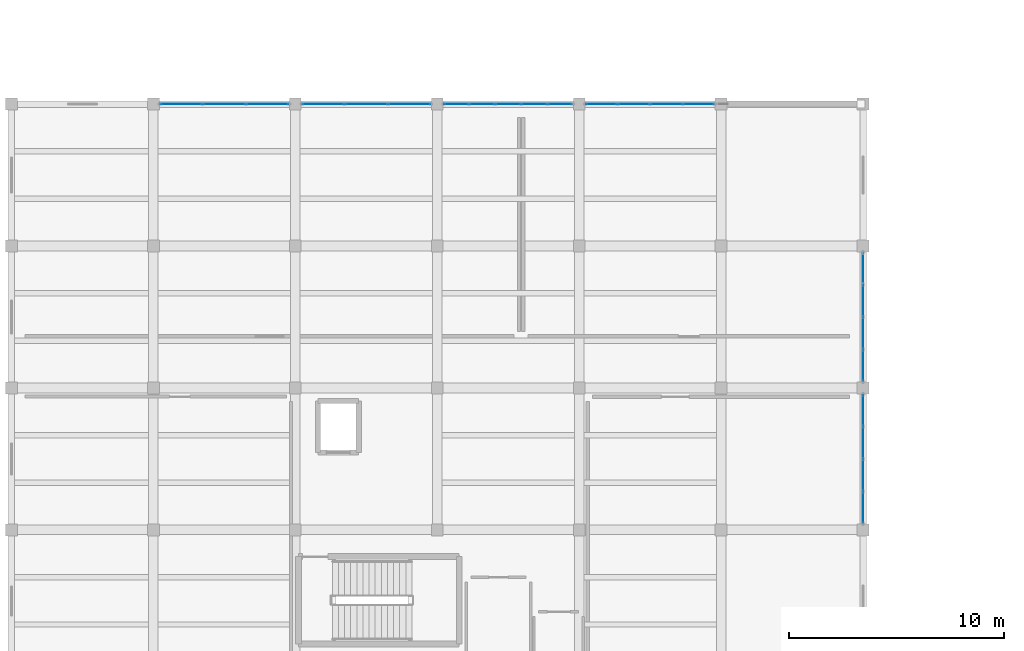
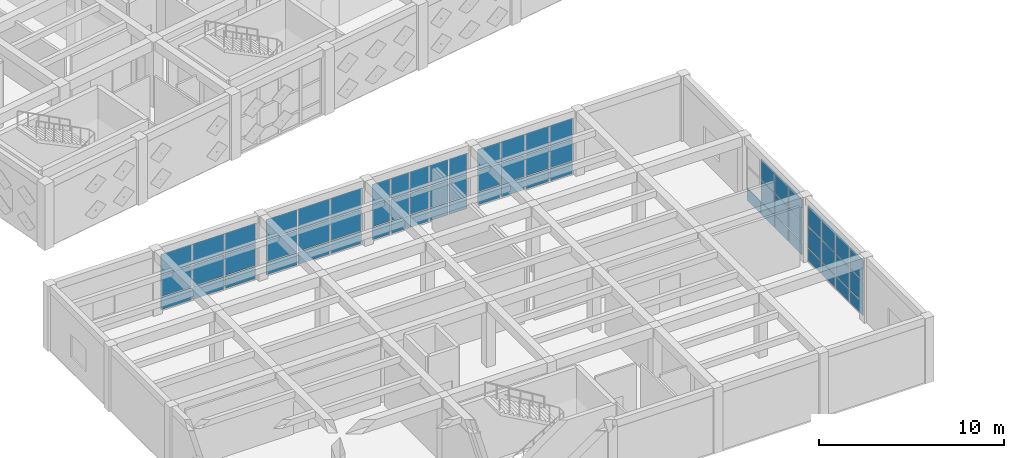
# One storey, part 27 of 48: 67 plates, 6 elements without a shape of their own.
"""IFC4 building model written with IfcOpenShell, lengths in metres."""

from ifc_helpers import new_model, si_unit, direction, frame, origin, origin_2d, place, context, subcontext, project, spatial, rectangle, extrude, material, layer, layer_set, type_object, element, aggregate, save


model = new_model("IFC4")

# Units and contexts
model_context = context("Model", 3, precision=1e-05, world=origin(), true_north=direction((0.0, 1.0)))
body_context = subcontext(model_context, "Body", "Model", "MODEL_VIEW")
ifc_project = project(units=[si_unit("LENGTHUNIT", "METRE"), si_unit("AREAUNIT", "SQUARE_METRE"), si_unit("VOLUMEUNIT", "CUBIC_METRE"), si_unit("PLANEANGLEUNIT", "RADIAN"), si_unit("MASSUNIT", "GRAM", prefix="KILO")], contexts=[model_context])

# Site, building, storey
site_placement = place(None, origin())
site = spatial("IfcSite", under=ifc_project, at=site_placement, CompositionType="ELEMENT")
building_placement = place(site_placement, origin())
building = spatial("IfcBuilding", under=site, at=building_placement, Name="Kharisveld Research Institute", CompositionType="ELEMENT")
storey_placement = place(building_placement, frame((0.0, 0.0, 14.10009765625)))
storey = spatial("IfcBuildingStorey", under=building, at=storey_placement, Name="L03", CompositionType="ELEMENT", Elevation=14.10009765625)

# Curtain wall, plates
ifc_material_1 = material(Name="Thermally Broken Aluminium Curtain Wall", Category="aluminium")
ifc_layer_1 = layer(ifc_material_1, 0.159912109375)
ifc_layer_set_1 = layer_set([ifc_layer_1], Name="CW_SYS_05")
curtain_wall_type_1 = type_object("IfcCurtainWallType", Name="CW_SYS_05", PredefinedType="NOTDEFINED", material=ifc_layer_set_1)
curtain_wall_1_placement = place(storey_placement, origin())
curtain_wall_1 = element("IfcCurtainWall", 1, at=curtain_wall_1_placement, inside=storey, type_object=curtain_wall_type_1, Name="CW:V3:L03:N1", PredefinedType="NOTDEFINED")
ifc_material_2 = material(Name="Low-E Double Glazing", Category="glass")
ifc_layer_2 = layer(ifc_material_2, 0.028076171875)
ifc_layer_set_2 = layer_set([ifc_layer_2], Name="CW_PNL_GLZ")
plate_type_1 = type_object("IfcPlateType", Name="CW_PNL_GLZ", PredefinedType="CURTAIN_PANEL", material=ifc_layer_set_2)
plate_1_placement = place(storey_placement, frame((8.496337890625, 26.60009765625, 0.059814453125), z_axis=(0.0, 0.0, 1.0), x_axis=(1.0, 0.0, 0.0)))
plate_1 = element("IfcPlate", 2, at=plate_1_placement, type_object=plate_type_1, Name="CW-05 panel 1.1", PredefinedType="CURTAIN_PANEL", context=body_context, shape_type="SweptSolid", body=[
    extrude(rectangle(XDim=1.922607421875, YDim=0.028076171875, at=origin_2d()), origin(), (0.0, 0.0, 1.0), 0.81005859375),
])
plate_2_placement = place(storey_placement, frame((8.496337890625, 26.60009765625, 0.93017578125), z_axis=(0.0, 0.0, 1.0), x_axis=(1.0, 0.0, 0.0)))
plate_2 = element("IfcPlate", 3, at=plate_2_placement, type_object=plate_type_1, Name="CW-05 panel 1.2", PredefinedType="CURTAIN_PANEL", context=body_context, shape_type="SweptSolid", body=[
    extrude(rectangle(XDim=1.922607421875, YDim=0.028076171875, at=origin_2d()), origin(), (0.0, 0.0, 1.0), 1.389892578125),
])
plate_3_placement = place(storey_placement, frame((8.496337890625, 26.60009765625, 2.3798828125), z_axis=(0.0, 0.0, 1.0), x_axis=(1.0, 0.0, 0.0)))
plate_3 = element("IfcPlate", 4, at=plate_3_placement, type_object=plate_type_1, Name="CW-05 panel 1.3", PredefinedType="CURTAIN_PANEL", context=body_context, shape_type="SweptSolid", body=[
    extrude(rectangle(XDim=1.922607421875, YDim=0.028076171875, at=origin_2d()), origin(), (0.0, 0.0, 1.0), 1.340087890625),
])
plate_4_placement = place(storey_placement, frame((10.5, 26.60009765625, 0.059814453125), z_axis=(0.0, 0.0, 1.0), x_axis=(1.0, 0.0, 0.0)))
plate_4 = element("IfcPlate", 5, at=plate_4_placement, type_object=plate_type_1, Name="CW-05 panel 2.1", PredefinedType="CURTAIN_PANEL", context=body_context, shape_type="SweptSolid", body=[
    extrude(rectangle(XDim=1.955078125, YDim=0.028076171875, at=origin_2d()), origin(), (0.0, 0.0, 1.0), 0.81005859375),
])
plate_5_placement = place(storey_placement, frame((10.5, 26.60009765625, 0.93017578125), z_axis=(0.0, 0.0, 1.0), x_axis=(1.0, 0.0, 0.0)))
plate_5 = element("IfcPlate", 6, at=plate_5_placement, type_object=plate_type_1, Name="CW-05 panel 2.2", PredefinedType="CURTAIN_PANEL", context=body_context, shape_type="SweptSolid", body=[
    extrude(rectangle(XDim=1.955078125, YDim=0.028076171875, at=origin_2d()), origin(), (0.0, 0.0, 1.0), 1.389892578125),
])
plate_6_placement = place(storey_placement, frame((10.5, 26.60009765625, 2.3798828125), z_axis=(0.0, 0.0, 1.0), x_axis=(1.0, 0.0, 0.0)))
plate_6 = element("IfcPlate", 7, at=plate_6_placement, type_object=plate_type_1, Name="CW-05 panel 2.3", PredefinedType="CURTAIN_PANEL", context=body_context, shape_type="SweptSolid", body=[
    extrude(rectangle(XDim=1.955078125, YDim=0.028076171875, at=origin_2d()), origin(), (0.0, 0.0, 1.0), 1.340087890625),
])
plate_7_placement = place(storey_placement, frame((12.503662109375, 26.60009765625, 0.059814453125), z_axis=(0.0, 0.0, 1.0), x_axis=(1.0, 0.0, 0.0)))
plate_7 = element("IfcPlate", 8, at=plate_7_placement, type_object=plate_type_1, Name="CW-05 panel 3.1", PredefinedType="CURTAIN_PANEL", context=body_context, shape_type="SweptSolid", body=[
    extrude(rectangle(XDim=1.922607421875, YDim=0.028076171875, at=origin_2d()), origin(), (0.0, 0.0, 1.0), 0.81005859375),
])
plate_8_placement = place(storey_placement, frame((12.503662109375, 26.60009765625, 0.93017578125), z_axis=(0.0, 0.0, 1.0), x_axis=(1.0, 0.0, 0.0)))
plate_8 = element("IfcPlate", 9, at=plate_8_placement, type_object=plate_type_1, Name="CW-05 panel 3.2", PredefinedType="CURTAIN_PANEL", context=body_context, shape_type="SweptSolid", body=[
    extrude(rectangle(XDim=1.922607421875, YDim=0.028076171875, at=origin_2d()), origin(), (0.0, 0.0, 1.0), 1.389892578125),
])
plate_9_placement = place(storey_placement, frame((12.503662109375, 26.60009765625, 2.3798828125), z_axis=(0.0, 0.0, 1.0), x_axis=(1.0, 0.0, 0.0)))
plate_9 = element("IfcPlate", 10, at=plate_9_placement, type_object=plate_type_1, Name="CW-05 panel 3.3", PredefinedType="CURTAIN_PANEL", context=body_context, shape_type="SweptSolid", body=[
    extrude(rectangle(XDim=1.922607421875, YDim=0.028076171875, at=origin_2d()), origin(), (0.0, 0.0, 1.0), 1.340087890625),
])
aggregate(curtain_wall_1, [plate_1, plate_2, plate_3, plate_4, plate_5, plate_6, plate_7, plate_8, plate_9])

ifc_material_3 = material(Name="Thermally Broken Aluminium Curtain Wall", Category="aluminium")
ifc_layer_3 = layer(ifc_material_3, 0.159912109375)
ifc_layer_set_3 = layer_set([ifc_layer_3], Name="CW_SYS_06")
curtain_wall_type_2 = type_object("IfcCurtainWallType", Name="CW_SYS_06", PredefinedType="NOTDEFINED", material=ifc_layer_set_3)
curtain_wall_2_placement = place(storey_placement, origin())
curtain_wall_2 = element("IfcCurtainWall", 11, at=curtain_wall_2_placement, inside=storey, type_object=curtain_wall_type_2, Name="CW:V3:L03:N2", PredefinedType="NOTDEFINED")
plate_10_placement = place(storey_placement, frame((15.09619140625, 26.60009765625, 0.059814453125), z_axis=(0.0, 0.0, 1.0), x_axis=(1.0, 0.0, 0.0)))
plate_10 = element("IfcPlate", 12, at=plate_10_placement, type_object=plate_type_1, Name="CW-06 panel 1.1", PredefinedType="CURTAIN_PANEL", context=body_context, shape_type="SweptSolid", body=[
    extrude(rectangle(XDim=1.922607421875, YDim=0.028076171875, at=origin_2d()), origin(), (0.0, 0.0, 1.0), 0.81005859375),
])
plate_11_placement = place(storey_placement, frame((15.09619140625, 26.60009765625, 0.93017578125), z_axis=(0.0, 0.0, 1.0), x_axis=(1.0, 0.0, 0.0)))
plate_11 = element("IfcPlate", 13, at=plate_11_placement, type_object=plate_type_1, Name="CW-06 panel 1.2", PredefinedType="CURTAIN_PANEL", context=body_context, shape_type="SweptSolid", body=[
    extrude(rectangle(XDim=1.922607421875, YDim=0.028076171875, at=origin_2d()), origin(), (0.0, 0.0, 1.0), 1.389892578125),
])
plate_12_placement = place(storey_placement, frame((15.09619140625, 26.60009765625, 2.3798828125), z_axis=(0.0, 0.0, 1.0), x_axis=(1.0, 0.0, 0.0)))
plate_12 = element("IfcPlate", 14, at=plate_12_placement, type_object=plate_type_1, Name="CW-06 panel 1.3", PredefinedType="CURTAIN_PANEL", context=body_context, shape_type="SweptSolid", body=[
    extrude(rectangle(XDim=1.922607421875, YDim=0.028076171875, at=origin_2d()), origin(), (0.0, 0.0, 1.0), 1.340087890625),
])
plate_13_placement = place(storey_placement, frame((17.10009765625, 26.60009765625, 0.059814453125), z_axis=(0.0, 0.0, 1.0), x_axis=(1.0, 0.0, 0.0)))
plate_13 = element("IfcPlate", 15, at=plate_13_placement, type_object=plate_type_1, Name="CW-06 panel 2.1", PredefinedType="CURTAIN_PANEL", context=body_context, shape_type="SweptSolid", body=[
    extrude(rectangle(XDim=1.955078125, YDim=0.028076171875, at=origin_2d()), origin(), (0.0, 0.0, 1.0), 0.81005859375),
])
plate_14_placement = place(storey_placement, frame((17.10009765625, 26.60009765625, 0.93017578125), z_axis=(0.0, 0.0, 1.0), x_axis=(1.0, 0.0, 0.0)))
plate_14 = element("IfcPlate", 16, at=plate_14_placement, type_object=plate_type_1, Name="CW-06 panel 2.2", PredefinedType="CURTAIN_PANEL", context=body_context, shape_type="SweptSolid", body=[
    extrude(rectangle(XDim=1.955078125, YDim=0.028076171875, at=origin_2d()), origin(), (0.0, 0.0, 1.0), 1.389892578125),
])
plate_15_placement = place(storey_placement, frame((17.10009765625, 26.60009765625, 2.3798828125), z_axis=(0.0, 0.0, 1.0), x_axis=(1.0, 0.0, 0.0)))
plate_15 = element("IfcPlate", 17, at=plate_15_placement, type_object=plate_type_1, Name="CW-06 panel 2.3", PredefinedType="CURTAIN_PANEL", context=body_context, shape_type="SweptSolid", body=[
    extrude(rectangle(XDim=1.955078125, YDim=0.028076171875, at=origin_2d()), origin(), (0.0, 0.0, 1.0), 1.340087890625),
])
plate_16_placement = place(storey_placement, frame((19.103759765625, 26.60009765625, 0.059814453125), z_axis=(0.0, 0.0, 1.0), x_axis=(1.0, 0.0, 0.0)))
plate_16 = element("IfcPlate", 18, at=plate_16_placement, type_object=plate_type_1, Name="CW-06 panel 3.1", PredefinedType="CURTAIN_PANEL", context=body_context, shape_type="SweptSolid", body=[
    extrude(rectangle(XDim=1.922607421875, YDim=0.028076171875, at=origin_2d()), origin(), (0.0, 0.0, 1.0), 0.81005859375),
])
plate_17_placement = place(storey_placement, frame((19.103759765625, 26.60009765625, 0.93017578125), z_axis=(0.0, 0.0, 1.0), x_axis=(1.0, 0.0, 0.0)))
plate_17 = element("IfcPlate", 19, at=plate_17_placement, type_object=plate_type_1, Name="CW-06 panel 3.2", PredefinedType="CURTAIN_PANEL", context=body_context, shape_type="SweptSolid", body=[
    extrude(rectangle(XDim=1.922607421875, YDim=0.028076171875, at=origin_2d()), origin(), (0.0, 0.0, 1.0), 1.389892578125),
])
plate_18_placement = place(storey_placement, frame((19.103759765625, 26.60009765625, 2.3798828125), z_axis=(0.0, 0.0, 1.0), x_axis=(1.0, 0.0, 0.0)))
plate_18 = element("IfcPlate", 20, at=plate_18_placement, type_object=plate_type_1, Name="CW-06 panel 3.3", PredefinedType="CURTAIN_PANEL", context=body_context, shape_type="SweptSolid", body=[
    extrude(rectangle(XDim=1.922607421875, YDim=0.028076171875, at=origin_2d()), origin(), (0.0, 0.0, 1.0), 1.340087890625),
])
aggregate(curtain_wall_2, [plate_10, plate_11, plate_12, plate_13, plate_14, plate_15, plate_16, plate_17, plate_18])

ifc_material_4 = material(Name="Thermally Broken Aluminium Curtain Wall", Category="aluminium")
ifc_layer_4 = layer(ifc_material_4, 0.159912109375)
ifc_layer_set_4 = layer_set([ifc_layer_4], Name="CW_SYS_01")
curtain_wall_type_3 = type_object("IfcCurtainWallType", Name="CW_SYS_01", PredefinedType="NOTDEFINED", material=ifc_layer_set_4)
curtain_wall_3_placement = place(storey_placement, origin())
curtain_wall_3 = element("IfcCurtainWall", 21, at=curtain_wall_3_placement, inside=storey, type_object=curtain_wall_type_3, Name="CW:V3:L03:N3", PredefinedType="NOTDEFINED")
plate_19_placement = place(storey_placement, frame((21.292236328125, 26.60009765625, 0.059814453125), z_axis=(0.0, 0.0, 1.0), x_axis=(1.0, 0.0, 0.0)))
plate_19 = element("IfcPlate", 22, at=plate_19_placement, type_object=plate_type_1, Name="CW-01 panel 1.1", PredefinedType="CURTAIN_PANEL", context=body_context, shape_type="SweptSolid", body=[
    extrude(rectangle(XDim=1.114501953125, YDim=0.028076171875, at=origin_2d()), origin(), (0.0, 0.0, 1.0), 0.81005859375),
])
plate_20_placement = place(storey_placement, frame((21.292236328125, 26.60009765625, 0.93017578125), z_axis=(0.0, 0.0, 1.0), x_axis=(1.0, 0.0, 0.0)))
plate_20 = element("IfcPlate", 23, at=plate_20_placement, type_object=plate_type_1, Name="CW-01 panel 1.2", PredefinedType="CURTAIN_PANEL", context=body_context, shape_type="SweptSolid", body=[
    extrude(rectangle(XDim=1.114501953125, YDim=0.028076171875, at=origin_2d()), origin(), (0.0, 0.0, 1.0), 1.389892578125),
])
plate_21_placement = place(storey_placement, frame((21.292236328125, 26.60009765625, 2.3798828125), z_axis=(0.0, 0.0, 1.0), x_axis=(1.0, 0.0, 0.0)))
plate_21 = element("IfcPlate", 24, at=plate_21_placement, type_object=plate_type_1, Name="CW-01 panel 1.3", PredefinedType="CURTAIN_PANEL", context=body_context, shape_type="SweptSolid", body=[
    extrude(rectangle(XDim=1.114501953125, YDim=0.028076171875, at=origin_2d()), origin(), (0.0, 0.0, 1.0), 1.340087890625),
])
plate_22_placement = place(storey_placement, frame((22.488037109375, 26.60009765625, 0.059814453125), z_axis=(0.0, 0.0, 1.0), x_axis=(1.0, 0.0, 0.0)))
plate_22 = element("IfcPlate", 25, at=plate_22_placement, type_object=plate_type_1, Name="CW-01 panel 2.1", PredefinedType="CURTAIN_PANEL", context=body_context, shape_type="SweptSolid", body=[
    extrude(rectangle(XDim=1.14697265625, YDim=0.028076171875, at=origin_2d()), origin(), (0.0, 0.0, 1.0), 0.81005859375),
])
plate_23_placement = place(storey_placement, frame((22.488037109375, 26.60009765625, 0.93017578125), z_axis=(0.0, 0.0, 1.0), x_axis=(1.0, 0.0, 0.0)))
plate_23 = element("IfcPlate", 26, at=plate_23_placement, type_object=plate_type_1, Name="CW-01 panel 2.2", PredefinedType="CURTAIN_PANEL", context=body_context, shape_type="SweptSolid", body=[
    extrude(rectangle(XDim=1.14697265625, YDim=0.028076171875, at=origin_2d()), origin(), (0.0, 0.0, 1.0), 1.389892578125),
])
plate_24_placement = place(storey_placement, frame((22.488037109375, 26.60009765625, 2.3798828125), z_axis=(0.0, 0.0, 1.0), x_axis=(1.0, 0.0, 0.0)))
plate_24 = element("IfcPlate", 27, at=plate_24_placement, type_object=plate_type_1, Name="CW-01 panel 2.3", PredefinedType="CURTAIN_PANEL", context=body_context, shape_type="SweptSolid", body=[
    extrude(rectangle(XDim=1.14697265625, YDim=0.028076171875, at=origin_2d()), origin(), (0.0, 0.0, 1.0), 1.340087890625),
])
plate_25_placement = place(storey_placement, frame((23.699951171875, 26.60009765625, 0.059814453125), z_axis=(0.0, 0.0, 1.0), x_axis=(1.0, 0.0, 0.0)))
plate_25 = element("IfcPlate", 28, at=plate_25_placement, type_object=plate_type_1, Name="CW-01 panel 3.1", PredefinedType="CURTAIN_PANEL", context=body_context, shape_type="SweptSolid", body=[
    extrude(rectangle(XDim=1.14697265625, YDim=0.028076171875, at=origin_2d()), origin(), (0.0, 0.0, 1.0), 0.81005859375),
])
plate_26_placement = place(storey_placement, frame((23.699951171875, 26.60009765625, 0.93017578125), z_axis=(0.0, 0.0, 1.0), x_axis=(1.0, 0.0, 0.0)))
plate_26 = element("IfcPlate", 29, at=plate_26_placement, type_object=plate_type_1, Name="CW-01 panel 3.2", PredefinedType="CURTAIN_PANEL", context=body_context, shape_type="SweptSolid", body=[
    extrude(rectangle(XDim=1.14697265625, YDim=0.028076171875, at=origin_2d()), origin(), (0.0, 0.0, 1.0), 1.389892578125),
])
plate_27_placement = place(storey_placement, frame((23.699951171875, 26.60009765625, 2.3798828125), z_axis=(0.0, 0.0, 1.0), x_axis=(1.0, 0.0, 0.0)))
plate_27 = element("IfcPlate", 30, at=plate_27_placement, type_object=plate_type_1, Name="CW-01 panel 3.3", PredefinedType="CURTAIN_PANEL", context=body_context, shape_type="SweptSolid", body=[
    extrude(rectangle(XDim=1.14697265625, YDim=0.028076171875, at=origin_2d()), origin(), (0.0, 0.0, 1.0), 1.340087890625),
])
plate_28_placement = place(storey_placement, frame((24.912109375, 26.60009765625, 0.059814453125), z_axis=(0.0, 0.0, 1.0), x_axis=(1.0, 0.0, 0.0)))
plate_28 = element("IfcPlate", 31, at=plate_28_placement, type_object=plate_type_1, Name="CW-01 panel 4.1", PredefinedType="CURTAIN_PANEL", context=body_context, shape_type="SweptSolid", body=[
    extrude(rectangle(XDim=1.14697265625, YDim=0.028076171875, at=origin_2d()), origin(), (0.0, 0.0, 1.0), 0.81005859375),
])
plate_29_placement = place(storey_placement, frame((24.912109375, 26.60009765625, 0.93017578125), z_axis=(0.0, 0.0, 1.0), x_axis=(1.0, 0.0, 0.0)))
plate_29 = element("IfcPlate", 32, at=plate_29_placement, type_object=plate_type_1, Name="CW-01 panel 4.2", PredefinedType="CURTAIN_PANEL", context=body_context, shape_type="SweptSolid", body=[
    extrude(rectangle(XDim=1.14697265625, YDim=0.028076171875, at=origin_2d()), origin(), (0.0, 0.0, 1.0), 1.389892578125),
])
plate_30_placement = place(storey_placement, frame((24.912109375, 26.60009765625, 2.3798828125), z_axis=(0.0, 0.0, 1.0), x_axis=(1.0, 0.0, 0.0)))
plate_30 = element("IfcPlate", 33, at=plate_30_placement, type_object=plate_type_1, Name="CW-01 panel 4.3", PredefinedType="CURTAIN_PANEL", context=body_context, shape_type="SweptSolid", body=[
    extrude(rectangle(XDim=1.14697265625, YDim=0.028076171875, at=origin_2d()), origin(), (0.0, 0.0, 1.0), 1.340087890625),
])
plate_31_placement = place(storey_placement, frame((26.107666015625, 26.60009765625, 0.059814453125), z_axis=(0.0, 0.0, 1.0), x_axis=(1.0, 0.0, 0.0)))
plate_31 = element("IfcPlate", 34, at=plate_31_placement, type_object=plate_type_1, Name="CW-01 panel 5.1", PredefinedType="CURTAIN_PANEL", context=body_context, shape_type="SweptSolid", body=[
    extrude(rectangle(XDim=1.114501953125, YDim=0.028076171875, at=origin_2d()), origin(), (0.0, 0.0, 1.0), 0.81005859375),
])
plate_32_placement = place(storey_placement, frame((26.107666015625, 26.60009765625, 0.93017578125), z_axis=(0.0, 0.0, 1.0), x_axis=(1.0, 0.0, 0.0)))
plate_32 = element("IfcPlate", 35, at=plate_32_placement, type_object=plate_type_1, Name="CW-01 panel 5.2", PredefinedType="CURTAIN_PANEL", context=body_context, shape_type="SweptSolid", body=[
    extrude(rectangle(XDim=1.114501953125, YDim=0.028076171875, at=origin_2d()), origin(), (0.0, 0.0, 1.0), 1.389892578125),
])
plate_33_placement = place(storey_placement, frame((26.107666015625, 26.60009765625, 2.3798828125), z_axis=(0.0, 0.0, 1.0), x_axis=(1.0, 0.0, 0.0)))
plate_33 = element("IfcPlate", 36, at=plate_33_placement, type_object=plate_type_1, Name="CW-01 panel 5.3", PredefinedType="CURTAIN_PANEL", context=body_context, shape_type="SweptSolid", body=[
    extrude(rectangle(XDim=1.114501953125, YDim=0.028076171875, at=origin_2d()), origin(), (0.0, 0.0, 1.0), 1.340087890625),
])
aggregate(curtain_wall_3, [plate_19, plate_20, plate_21, plate_22, plate_23, plate_24, plate_25, plate_26, plate_27, plate_28, plate_29, plate_30, plate_31, plate_32, plate_33])

ifc_material_5 = material(Name="Thermally Broken Aluminium Curtain Wall", Category="aluminium")
ifc_layer_5 = layer(ifc_material_5, 0.159912109375)
ifc_layer_set_5 = layer_set([ifc_layer_5], Name="CW_SYS_02")
curtain_wall_type_4 = type_object("IfcCurtainWallType", Name="CW_SYS_02", PredefinedType="NOTDEFINED", material=ifc_layer_set_5)
curtain_wall_4_placement = place(storey_placement, origin())
curtain_wall_4 = element("IfcCurtainWall", 37, at=curtain_wall_4_placement, inside=storey, type_object=curtain_wall_type_4, Name="CW:V3:L03:N4", PredefinedType="NOTDEFINED")
plate_34_placement = place(storey_placement, frame((28.043701171875, 26.60009765625, 0.059814453125), z_axis=(0.0, 0.0, 1.0), x_axis=(1.0, 0.0, 0.0)))
plate_34 = element("IfcPlate", 38, at=plate_34_placement, type_object=plate_type_1, Name="CW-02 panel 1.1", PredefinedType="CURTAIN_PANEL", context=body_context, shape_type="SweptSolid", body=[
    extrude(rectangle(XDim=1.41748046875, YDim=0.028076171875, at=origin_2d()), origin(), (0.0, 0.0, 1.0), 0.81005859375),
])
plate_35_placement = place(storey_placement, frame((28.043701171875, 26.60009765625, 0.93017578125), z_axis=(0.0, 0.0, 1.0), x_axis=(1.0, 0.0, 0.0)))
plate_35 = element("IfcPlate", 39, at=plate_35_placement, type_object=plate_type_1, Name="CW-02 panel 1.2", PredefinedType="CURTAIN_PANEL", context=body_context, shape_type="SweptSolid", body=[
    extrude(rectangle(XDim=1.41748046875, YDim=0.028076171875, at=origin_2d()), origin(), (0.0, 0.0, 1.0), 1.389892578125),
])
plate_36_placement = place(storey_placement, frame((28.043701171875, 26.60009765625, 2.3798828125), z_axis=(0.0, 0.0, 1.0), x_axis=(1.0, 0.0, 0.0)))
plate_36 = element("IfcPlate", 40, at=plate_36_placement, type_object=plate_type_1, Name="CW-02 panel 1.3", PredefinedType="CURTAIN_PANEL", context=body_context, shape_type="SweptSolid", body=[
    extrude(rectangle(XDim=1.41748046875, YDim=0.028076171875, at=origin_2d()), origin(), (0.0, 0.0, 1.0), 1.340087890625),
])
plate_37_placement = place(storey_placement, frame((29.54248046875, 26.60009765625, 0.059814453125), z_axis=(0.0, 0.0, 1.0), x_axis=(1.0, 0.0, 0.0)))
plate_37 = element("IfcPlate", 41, at=plate_37_placement, type_object=plate_type_1, Name="CW-02 panel 2.1", PredefinedType="CURTAIN_PANEL", context=body_context, shape_type="SweptSolid", body=[
    extrude(rectangle(XDim=1.449951171875, YDim=0.028076171875, at=origin_2d()), origin(), (0.0, 0.0, 1.0), 0.81005859375),
])
plate_38_placement = place(storey_placement, frame((29.54248046875, 26.60009765625, 0.93017578125), z_axis=(0.0, 0.0, 1.0), x_axis=(1.0, 0.0, 0.0)))
plate_38 = element("IfcPlate", 42, at=plate_38_placement, type_object=plate_type_1, Name="CW-02 panel 2.2", PredefinedType="CURTAIN_PANEL", context=body_context, shape_type="SweptSolid", body=[
    extrude(rectangle(XDim=1.449951171875, YDim=0.028076171875, at=origin_2d()), origin(), (0.0, 0.0, 1.0), 1.389892578125),
])
plate_39_placement = place(storey_placement, frame((29.54248046875, 26.60009765625, 2.3798828125), z_axis=(0.0, 0.0, 1.0), x_axis=(1.0, 0.0, 0.0)))
plate_39 = element("IfcPlate", 43, at=plate_39_placement, type_object=plate_type_1, Name="CW-02 panel 2.3", PredefinedType="CURTAIN_PANEL", context=body_context, shape_type="SweptSolid", body=[
    extrude(rectangle(XDim=1.449951171875, YDim=0.028076171875, at=origin_2d()), origin(), (0.0, 0.0, 1.0), 1.340087890625),
])
plate_40_placement = place(storey_placement, frame((31.0576171875, 26.60009765625, 0.059814453125), z_axis=(0.0, 0.0, 1.0), x_axis=(1.0, 0.0, 0.0)))
plate_40 = element("IfcPlate", 44, at=plate_40_placement, type_object=plate_type_1, Name="CW-02 panel 3.1", PredefinedType="CURTAIN_PANEL", context=body_context, shape_type="SweptSolid", body=[
    extrude(rectangle(XDim=1.449951171875, YDim=0.028076171875, at=origin_2d()), origin(), (0.0, 0.0, 1.0), 0.81005859375),
])
plate_41_placement = place(storey_placement, frame((31.0576171875, 26.60009765625, 0.93017578125), z_axis=(0.0, 0.0, 1.0), x_axis=(1.0, 0.0, 0.0)))
plate_41 = element("IfcPlate", 45, at=plate_41_placement, type_object=plate_type_1, Name="CW-02 panel 3.2", PredefinedType="CURTAIN_PANEL", context=body_context, shape_type="SweptSolid", body=[
    extrude(rectangle(XDim=1.449951171875, YDim=0.028076171875, at=origin_2d()), origin(), (0.0, 0.0, 1.0), 1.389892578125),
])
plate_42_placement = place(storey_placement, frame((31.0576171875, 26.60009765625, 2.3798828125), z_axis=(0.0, 0.0, 1.0), x_axis=(1.0, 0.0, 0.0)))
plate_42 = element("IfcPlate", 46, at=plate_42_placement, type_object=plate_type_1, Name="CW-02 panel 3.3", PredefinedType="CURTAIN_PANEL", context=body_context, shape_type="SweptSolid", body=[
    extrude(rectangle(XDim=1.449951171875, YDim=0.028076171875, at=origin_2d()), origin(), (0.0, 0.0, 1.0), 1.340087890625),
])
plate_43_placement = place(storey_placement, frame((32.55615234375, 26.60009765625, 0.059814453125), z_axis=(0.0, 0.0, 1.0), x_axis=(1.0, 0.0, 0.0)))
plate_43 = element("IfcPlate", 47, at=plate_43_placement, type_object=plate_type_1, Name="CW-02 panel 4.1", PredefinedType="CURTAIN_PANEL", context=body_context, shape_type="SweptSolid", body=[
    extrude(rectangle(XDim=1.41748046875, YDim=0.028076171875, at=origin_2d()), origin(), (0.0, 0.0, 1.0), 0.81005859375),
])
plate_44_placement = place(storey_placement, frame((32.55615234375, 26.60009765625, 0.93017578125), z_axis=(0.0, 0.0, 1.0), x_axis=(1.0, 0.0, 0.0)))
plate_44 = element("IfcPlate", 48, at=plate_44_placement, type_object=plate_type_1, Name="CW-02 panel 4.2", PredefinedType="CURTAIN_PANEL", context=body_context, shape_type="SweptSolid", body=[
    extrude(rectangle(XDim=1.41748046875, YDim=0.028076171875, at=origin_2d()), origin(), (0.0, 0.0, 1.0), 1.389892578125),
])
plate_45_placement = place(storey_placement, frame((32.55615234375, 26.60009765625, 2.3798828125), z_axis=(0.0, 0.0, 1.0), x_axis=(1.0, 0.0, 0.0)))
plate_45 = element("IfcPlate", 49, at=plate_45_placement, type_object=plate_type_1, Name="CW-02 panel 4.3", PredefinedType="CURTAIN_PANEL", context=body_context, shape_type="SweptSolid", body=[
    extrude(rectangle(XDim=1.41748046875, YDim=0.028076171875, at=origin_2d()), origin(), (0.0, 0.0, 1.0), 1.340087890625),
])
aggregate(curtain_wall_4, [plate_34, plate_35, plate_36, plate_37, plate_38, plate_39, plate_40, plate_41, plate_42, plate_43, plate_44, plate_45])

ifc_material_6 = material(Name="Thermally Broken Aluminium Curtain Wall", Category="aluminium")
ifc_layer_6 = layer(ifc_material_6, 0.159912109375)
ifc_layer_set_6 = layer_set([ifc_layer_6], Name="CW_SYS_04")
curtain_wall_type_5 = type_object("IfcCurtainWallType", Name="CW_SYS_04", PredefinedType="NOTDEFINED", material=ifc_layer_set_6)
curtain_wall_5_placement = place(storey_placement, origin())
curtain_wall_5 = element("IfcCurtainWall", 50, at=curtain_wall_5_placement, inside=storey, type_object=curtain_wall_type_5, Name="CW:V3:L03:E2", PredefinedType="NOTDEFINED")
plate_46_placement = place(storey_placement, frame((40.199951171875, 12.356201171875, 0.059814453125), z_axis=(0.0, 0.0, 1.0), x_axis=(0.0, -1.0, 0.0)))
plate_46 = element("IfcPlate", 51, at=plate_46_placement, type_object=plate_type_1, Name="CW-04 panel 1.1", PredefinedType="CURTAIN_PANEL", context=body_context, shape_type="SweptSolid", body=[
    extrude(rectangle(XDim=1.41748046875, YDim=0.028076171875, at=origin_2d()), origin(), (0.0, 0.0, 1.0), 0.81005859375),
])
plate_47_placement = place(storey_placement, frame((40.199951171875, 12.356201171875, 0.93017578125), z_axis=(0.0, 0.0, 1.0), x_axis=(0.0, -1.0, 0.0)))
plate_47 = element("IfcPlate", 52, at=plate_47_placement, type_object=plate_type_1, Name="CW-04 panel 1.2", PredefinedType="CURTAIN_PANEL", context=body_context, shape_type="SweptSolid", body=[
    extrude(rectangle(XDim=1.41748046875, YDim=0.028076171875, at=origin_2d()), origin(), (0.0, 0.0, 1.0), 1.389892578125),
])
plate_48_placement = place(storey_placement, frame((40.199951171875, 12.356201171875, 2.3798828125), z_axis=(0.0, 0.0, 1.0), x_axis=(0.0, -1.0, 0.0)))
plate_48 = element("IfcPlate", 53, at=plate_48_placement, type_object=plate_type_1, Name="CW-04 panel 1.3", PredefinedType="CURTAIN_PANEL", context=body_context, shape_type="SweptSolid", body=[
    extrude(rectangle(XDim=1.41748046875, YDim=0.028076171875, at=origin_2d()), origin(), (0.0, 0.0, 1.0), 1.340087890625),
])
plate_49_placement = place(storey_placement, frame((40.199951171875, 10.857421875, 0.059814453125), z_axis=(0.0, 0.0, 1.0), x_axis=(0.0, -1.0, 0.0)))
plate_49 = element("IfcPlate", 54, at=plate_49_placement, type_object=plate_type_1, Name="CW-04 panel 2.1", PredefinedType="CURTAIN_PANEL", context=body_context, shape_type="SweptSolid", body=[
    extrude(rectangle(XDim=1.449951171875, YDim=0.028076171875, at=origin_2d()), origin(), (0.0, 0.0, 1.0), 0.81005859375),
])
plate_50_placement = place(storey_placement, frame((40.199951171875, 10.857421875, 0.93017578125), z_axis=(0.0, 0.0, 1.0), x_axis=(0.0, -1.0, 0.0)))
plate_50 = element("IfcPlate", 55, at=plate_50_placement, type_object=plate_type_1, Name="CW-04 panel 2.2", PredefinedType="CURTAIN_PANEL", context=body_context, shape_type="SweptSolid", body=[
    extrude(rectangle(XDim=1.449951171875, YDim=0.028076171875, at=origin_2d()), origin(), (0.0, 0.0, 1.0), 1.389892578125),
])
plate_51_placement = place(storey_placement, frame((40.199951171875, 10.857421875, 2.3798828125), z_axis=(0.0, 0.0, 1.0), x_axis=(0.0, -1.0, 0.0)))
plate_51 = element("IfcPlate", 56, at=plate_51_placement, type_object=plate_type_1, Name="CW-04 panel 2.3", PredefinedType="CURTAIN_PANEL", context=body_context, shape_type="SweptSolid", body=[
    extrude(rectangle(XDim=1.449951171875, YDim=0.028076171875, at=origin_2d()), origin(), (0.0, 0.0, 1.0), 1.340087890625),
])
plate_52_placement = place(storey_placement, frame((40.199951171875, 9.342529296875, 0.059814453125), z_axis=(0.0, 0.0, 1.0), x_axis=(0.0, -1.0, 0.0)))
plate_52 = element("IfcPlate", 57, at=plate_52_placement, type_object=plate_type_1, Name="CW-04 panel 3.1", PredefinedType="CURTAIN_PANEL", context=body_context, shape_type="SweptSolid", body=[
    extrude(rectangle(XDim=1.449951171875, YDim=0.028076171875, at=origin_2d()), origin(), (0.0, 0.0, 1.0), 0.81005859375),
])
plate_53_placement = place(storey_placement, frame((40.199951171875, 9.342529296875, 0.93017578125), z_axis=(0.0, 0.0, 1.0), x_axis=(0.0, -1.0, 0.0)))
plate_53 = element("IfcPlate", 58, at=plate_53_placement, type_object=plate_type_1, Name="CW-04 panel 3.2", PredefinedType="CURTAIN_PANEL", context=body_context, shape_type="SweptSolid", body=[
    extrude(rectangle(XDim=1.449951171875, YDim=0.028076171875, at=origin_2d()), origin(), (0.0, 0.0, 1.0), 1.389892578125),
])
plate_54_placement = place(storey_placement, frame((40.199951171875, 9.342529296875, 2.3798828125), z_axis=(0.0, 0.0, 1.0), x_axis=(0.0, -1.0, 0.0)))
plate_54 = element("IfcPlate", 59, at=plate_54_placement, type_object=plate_type_1, Name="CW-04 panel 3.3", PredefinedType="CURTAIN_PANEL", context=body_context, shape_type="SweptSolid", body=[
    extrude(rectangle(XDim=1.449951171875, YDim=0.028076171875, at=origin_2d()), origin(), (0.0, 0.0, 1.0), 1.340087890625),
])
plate_55_placement = place(storey_placement, frame((40.199951171875, 7.84375, 0.059814453125), z_axis=(0.0, 0.0, 1.0), x_axis=(0.0, -1.0, 0.0)))
plate_55 = element("IfcPlate", 60, at=plate_55_placement, type_object=plate_type_1, Name="CW-04 panel 4.1", PredefinedType="CURTAIN_PANEL", context=body_context, shape_type="SweptSolid", body=[
    extrude(rectangle(XDim=1.41748046875, YDim=0.028076171875, at=origin_2d()), origin(), (0.0, 0.0, 1.0), 0.81005859375),
])
plate_56_placement = place(storey_placement, frame((40.199951171875, 7.84375, 0.93017578125), z_axis=(0.0, 0.0, 1.0), x_axis=(0.0, -1.0, 0.0)))
plate_56 = element("IfcPlate", 61, at=plate_56_placement, type_object=plate_type_1, Name="CW-04 panel 4.2", PredefinedType="CURTAIN_PANEL", context=body_context, shape_type="SweptSolid", body=[
    extrude(rectangle(XDim=1.41748046875, YDim=0.028076171875, at=origin_2d()), origin(), (0.0, 0.0, 1.0), 1.389892578125),
])
plate_57_placement = place(storey_placement, frame((40.199951171875, 7.84375, 2.3798828125), z_axis=(0.0, 0.0, 1.0), x_axis=(0.0, -1.0, 0.0)))
plate_57 = element("IfcPlate", 62, at=plate_57_placement, type_object=plate_type_1, Name="CW-04 panel 4.3", PredefinedType="CURTAIN_PANEL", context=body_context, shape_type="SweptSolid", body=[
    extrude(rectangle(XDim=1.41748046875, YDim=0.028076171875, at=origin_2d()), origin(), (0.0, 0.0, 1.0), 1.340087890625),
])
aggregate(curtain_wall_5, [plate_46, plate_47, plate_48, plate_49, plate_50, plate_51, plate_52, plate_53, plate_54, plate_55, plate_56, plate_57])

ifc_material_7 = material(Name="Thermally Broken Aluminium Curtain Wall", Category="aluminium")
ifc_layer_7 = layer(ifc_material_7, 0.159912109375)
ifc_layer_set_7 = layer_set([ifc_layer_7], Name="CW_SYS_03")
curtain_wall_type_6 = type_object("IfcCurtainWallType", Name="CW_SYS_03", PredefinedType="NOTDEFINED", material=ifc_layer_set_7)
curtain_wall_6_placement = place(storey_placement, origin())
curtain_wall_6 = element("IfcCurtainWall", 63, at=curtain_wall_6_placement, inside=storey, type_object=curtain_wall_type_6, Name="CW:V3:L03:E3", PredefinedType="NOTDEFINED")
ifc_material_8 = material(Name="Insulated Spandrel Glazing", Category="glass")
ifc_layer_8 = layer(ifc_material_8, 0.035888671875)
ifc_layer_set_8 = layer_set([ifc_layer_8], Name="CW_PNL_SPD")
plate_type_2 = type_object("IfcPlateType", Name="CW_PNL_SPD", PredefinedType="CURTAIN_PANEL", material=ifc_layer_set_8)
plate_58_placement = place(storey_placement, frame((40.199951171875, 18.956298828125, 0.059814453125), z_axis=(0.0, 0.0, 1.0), x_axis=(0.0, -1.0, 0.0)))
plate_58 = element("IfcPlate", 64, at=plate_58_placement, type_object=plate_type_2, Name="CW-03 panel 1.1", PredefinedType="CURTAIN_PANEL", context=body_context, shape_type="SweptSolid", body=[
    extrude(rectangle(XDim=1.41748046875, YDim=0.035888671875, at=origin_2d()), origin(), (0.0, 0.0, 1.0), 0.81005859375),
])
plate_59_placement = place(storey_placement, frame((40.199951171875, 17.45751953125, 0.059814453125), z_axis=(0.0, 0.0, 1.0), x_axis=(0.0, -1.0, 0.0)))
plate_59 = element("IfcPlate", 65, at=plate_59_placement, type_object=plate_type_2, Name="CW-03 panel 2.1", PredefinedType="CURTAIN_PANEL", context=body_context, shape_type="SweptSolid", body=[
    extrude(rectangle(XDim=1.449951171875, YDim=0.035888671875, at=origin_2d()), origin(), (0.0, 0.0, 1.0), 0.81005859375),
])
plate_60_placement = place(storey_placement, frame((40.199951171875, 17.45751953125, 0.93017578125), z_axis=(0.0, 0.0, 1.0), x_axis=(0.0, -1.0, 0.0)))
plate_60 = element("IfcPlate", 66, at=plate_60_placement, type_object=plate_type_2, Name="CW-03 panel 2.2", PredefinedType="CURTAIN_PANEL", context=body_context, shape_type="SweptSolid", body=[
    extrude(rectangle(XDim=1.449951171875, YDim=0.035888671875, at=origin_2d()), origin(), (0.0, 0.0, 1.0), 1.389892578125),
])
plate_61_placement = place(storey_placement, frame((40.199951171875, 17.45751953125, 2.3798828125), z_axis=(0.0, 0.0, 1.0), x_axis=(0.0, -1.0, 0.0)))
plate_61 = element("IfcPlate", 67, at=plate_61_placement, type_object=plate_type_2, Name="CW-03 panel 2.3", PredefinedType="CURTAIN_PANEL", context=body_context, shape_type="SweptSolid", body=[
    extrude(rectangle(XDim=1.449951171875, YDim=0.035888671875, at=origin_2d()), origin(), (0.0, 0.0, 1.0), 1.340087890625),
])
plate_62_placement = place(storey_placement, frame((40.199951171875, 15.9423828125, 0.059814453125), z_axis=(0.0, 0.0, 1.0), x_axis=(0.0, -1.0, 0.0)))
plate_62 = element("IfcPlate", 68, at=plate_62_placement, type_object=plate_type_2, Name="CW-03 panel 3.1", PredefinedType="CURTAIN_PANEL", context=body_context, shape_type="SweptSolid", body=[
    extrude(rectangle(XDim=1.449951171875, YDim=0.035888671875, at=origin_2d()), origin(), (0.0, 0.0, 1.0), 0.81005859375),
])
plate_63_placement = place(storey_placement, frame((40.199951171875, 15.9423828125, 0.93017578125), z_axis=(0.0, 0.0, 1.0), x_axis=(0.0, -1.0, 0.0)))
plate_63 = element("IfcPlate", 69, at=plate_63_placement, type_object=plate_type_2, Name="CW-03 panel 3.2", PredefinedType="CURTAIN_PANEL", context=body_context, shape_type="SweptSolid", body=[
    extrude(rectangle(XDim=1.449951171875, YDim=0.035888671875, at=origin_2d()), origin(), (0.0, 0.0, 1.0), 1.389892578125),
])
plate_64_placement = place(storey_placement, frame((40.199951171875, 15.9423828125, 2.3798828125), z_axis=(0.0, 0.0, 1.0), x_axis=(0.0, -1.0, 0.0)))
plate_64 = element("IfcPlate", 70, at=plate_64_placement, type_object=plate_type_2, Name="CW-03 panel 3.3", PredefinedType="CURTAIN_PANEL", context=body_context, shape_type="SweptSolid", body=[
    extrude(rectangle(XDim=1.449951171875, YDim=0.035888671875, at=origin_2d()), origin(), (0.0, 0.0, 1.0), 1.340087890625),
])
plate_65_placement = place(storey_placement, frame((40.199951171875, 14.44384765625, 0.059814453125), z_axis=(0.0, 0.0, 1.0), x_axis=(0.0, -1.0, 0.0)))
plate_65 = element("IfcPlate", 71, at=plate_65_placement, type_object=plate_type_2, Name="CW-03 panel 4.1", PredefinedType="CURTAIN_PANEL", context=body_context, shape_type="SweptSolid", body=[
    extrude(rectangle(XDim=1.41748046875, YDim=0.035888671875, at=origin_2d()), origin(), (0.0, 0.0, 1.0), 0.81005859375),
])
plate_66_placement = place(storey_placement, frame((40.199951171875, 14.44384765625, 0.93017578125), z_axis=(0.0, 0.0, 1.0), x_axis=(0.0, -1.0, 0.0)))
plate_66 = element("IfcPlate", 72, at=plate_66_placement, type_object=plate_type_2, Name="CW-03 panel 4.2", PredefinedType="CURTAIN_PANEL", context=body_context, shape_type="SweptSolid", body=[
    extrude(rectangle(XDim=1.41748046875, YDim=0.035888671875, at=origin_2d()), origin(), (0.0, 0.0, 1.0), 1.389892578125),
])
plate_67_placement = place(storey_placement, frame((40.199951171875, 14.44384765625, 2.3798828125), z_axis=(0.0, 0.0, 1.0), x_axis=(0.0, -1.0, 0.0)))
plate_67 = element("IfcPlate", 73, at=plate_67_placement, type_object=plate_type_2, Name="CW-03 panel 4.3", PredefinedType="CURTAIN_PANEL", context=body_context, shape_type="SweptSolid", body=[
    extrude(rectangle(XDim=1.41748046875, YDim=0.035888671875, at=origin_2d()), origin(), (0.0, 0.0, 1.0), 1.340087890625),
])
aggregate(curtain_wall_6, [plate_58, plate_59, plate_60, plate_61, plate_62, plate_63, plate_64, plate_65, plate_66, plate_67])

save(model, "model.ifc")
